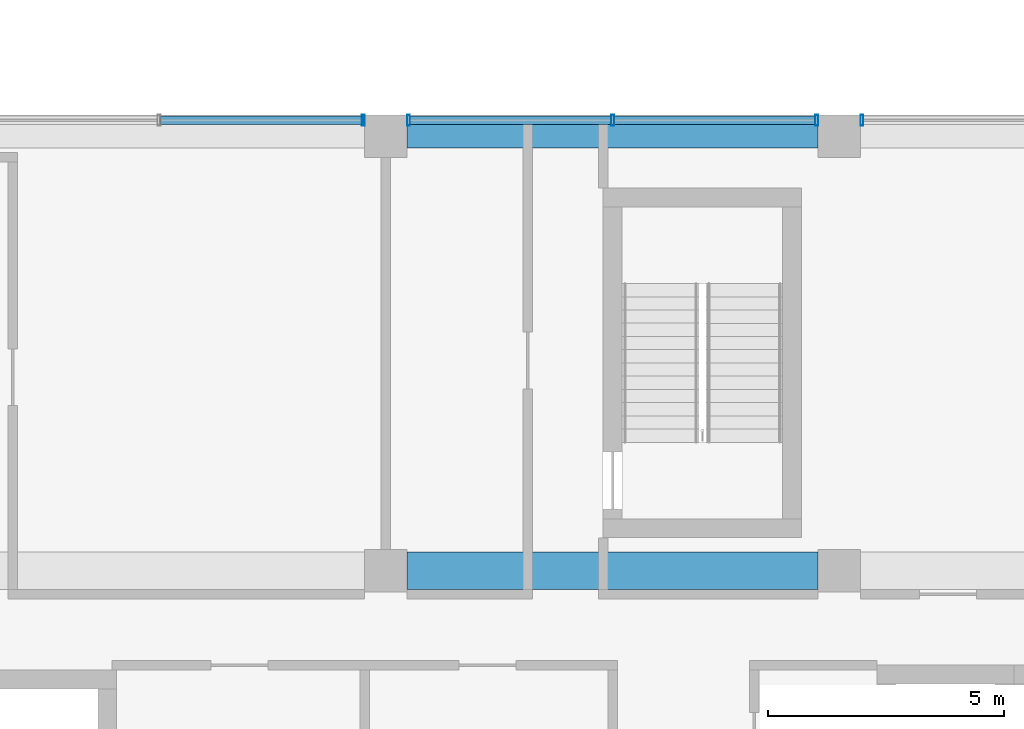
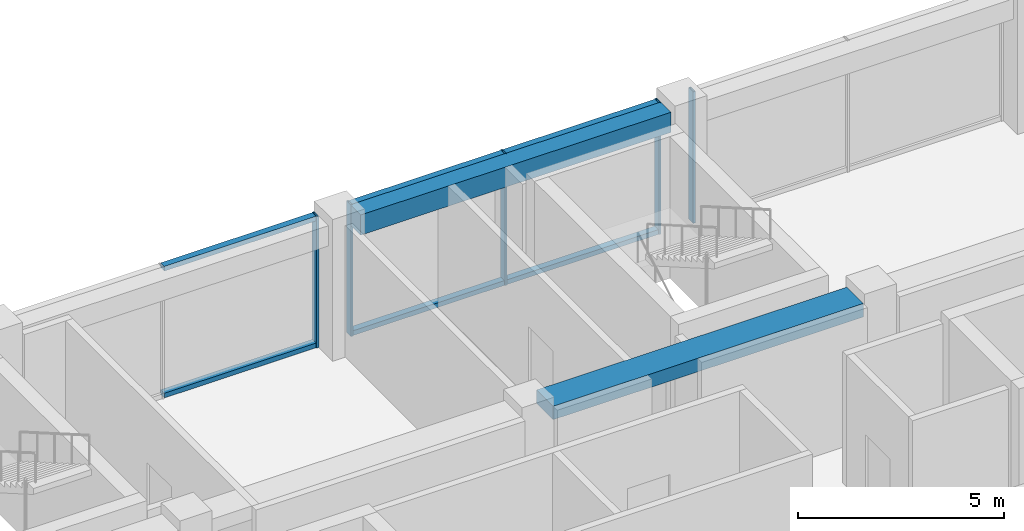
# One storey, part 22 of 36: 11 members, 2 beams, 3 elements without a shape of their own.
"""IFC4 building model written with IfcOpenShell, lengths in metres."""

from ifc_helpers import new_model, si_unit, direction, frame, origin, origin_2d, place, context, subcontext, project, spatial, rectangle, hollow_rectangle, extrude, material, layer, layer_set, material_profile, profile_set, type_object, element, aggregate, save


model = new_model("IFC4")

# Units and contexts
model_context = context("Model", 3, precision=1e-05, world=origin(), true_north=direction((0.0, 1.0)))
body_context = subcontext(model_context, "Body", "Model", "MODEL_VIEW")
ifc_project = project(units=[si_unit("LENGTHUNIT", "METRE"), si_unit("AREAUNIT", "SQUARE_METRE"), si_unit("VOLUMEUNIT", "CUBIC_METRE"), si_unit("PLANEANGLEUNIT", "RADIAN"), si_unit("MASSUNIT", "GRAM", prefix="KILO")], contexts=[model_context])

# Site, building, storey
site_placement = place(None, origin())
site = spatial("IfcSite", under=ifc_project, at=site_placement, CompositionType="ELEMENT")
building_placement = place(site_placement, origin())
building = spatial("IfcBuilding", under=site, at=building_placement, Name="Nzadi Deep Aquarium and Research Tower", CompositionType="ELEMENT")
storey_placement = place(building_placement, frame((0.0, 0.0, 36.10009765625)))
storey = spatial("IfcBuildingStorey", under=building, at=storey_placement, Name="L06", CompositionType="ELEMENT", Elevation=36.10009765625)

# Curtain wall, member
ifc_material_1 = material(Name="Aluminium unitised frame deep", Category="aluminium")
ifc_layer = layer(ifc_material_1, 0.22509765625)
ifc_layer_set = layer_set([ifc_layer], Name="Aluminium unitised frame deep")
curtain_wall_type = type_object("IfcCurtainWallType", Name="Curtain wall Unitised Deep 225", PredefinedType="NOTDEFINED", material=ifc_layer_set)
curtain_wall_1_placement = place(storey_placement, origin())
curtain_wall_1 = element("IfcCurtainWall", 1, at=curtain_wall_1_placement, inside=storey, type_object=curtain_wall_type, Name="Unitised curtain wall blade B north L06", PredefinedType="NOTDEFINED")
ifc_material_2 = material(Name="Aluminium unitised frame deep", Category="aluminium")
ifc_material_profile_1 = material_profile(ifc_material_2, hollow_rectangle(XDim=0.22509765625, YDim=0.06005859375, WallThickness=0.0048828125, at=origin_2d()))
ifc_profile_set_1 = profile_set([ifc_material_profile_1], Name="Aluminium unitised frame deep")
member_type_1 = type_object("IfcMemberType", Name="Mullion 60x225 Unitised Deep", PredefinedType="MULLION", material=ifc_profile_set_1)
member_1_placement = place(storey_placement, frame((18.719970703125, 46.33740234375, 0.0), z_axis=(0.0, 0.0, 1.0), x_axis=(0.0, 1.0, 0.0)))
member_1 = element("IfcMember", 2, at=member_1_placement, type_object=member_type_1, Name="CW094 mullion 3", PredefinedType="MULLION", context=body_context, shape_type="SweptSolid", body=[
    extrude(hollow_rectangle(XDim=0.22509765625, YDim=0.06005859375, WallThickness=0.0048828125, at=origin_2d()), origin(), (0.0, 0.0, 1.0), 3.89990234375),
])

# Curtain wall, members
curtain_wall_2_placement = place(storey_placement, origin())
curtain_wall_2 = element("IfcCurtainWall", 3, at=curtain_wall_2_placement, inside=storey, type_object=curtain_wall_type, Name="Unitised curtain wall blade B north L06", PredefinedType="NOTDEFINED")
member_2_placement = place(storey_placement, frame((19.679931640625, 46.33740234375, 0.0), z_axis=(0.0, 0.0, 1.0), x_axis=(0.0, 1.0, 0.0)))
member_2 = element("IfcMember", 4, at=member_2_placement, type_object=member_type_1, Name="CW095 mullion 1", PredefinedType="MULLION", context=body_context, shape_type="SweptSolid", body=[
    extrude(hollow_rectangle(XDim=0.22509765625, YDim=0.06005859375, WallThickness=0.0048828125, at=origin_2d()), origin(), (0.0, 0.0, 1.0), 3.89990234375),
])
member_3_placement = place(storey_placement, frame((24.0, 46.33740234375, 0.0), z_axis=(0.0, 0.0, 1.0), x_axis=(0.0, 1.0, 0.0)))
member_3 = element("IfcMember", 5, at=member_3_placement, type_object=member_type_1, Name="CW095 mullion 2", PredefinedType="MULLION", context=body_context, shape_type="SweptSolid", body=[
    extrude(hollow_rectangle(XDim=0.22509765625, YDim=0.06005859375, WallThickness=0.0048828125, at=origin_2d()), origin(), (0.0, 0.0, 1.0), 3.89990234375),
])
member_4_placement = place(storey_placement, frame((28.320068359375, 46.33740234375, 0.0), z_axis=(0.0, 0.0, 1.0), x_axis=(0.0, 1.0, 0.0)))
member_4 = element("IfcMember", 6, at=member_4_placement, type_object=member_type_1, Name="CW095 mullion 3", PredefinedType="MULLION", context=body_context, shape_type="SweptSolid", body=[
    extrude(hollow_rectangle(XDim=0.22509765625, YDim=0.06005859375, WallThickness=0.0048828125, at=origin_2d()), origin(), (0.0, 0.0, 1.0), 3.89990234375),
])

# Curtain wall, member
curtain_wall_3_placement = place(storey_placement, origin())
curtain_wall_3 = element("IfcCurtainWall", 7, at=curtain_wall_3_placement, inside=storey, type_object=curtain_wall_type, Name="Unitised curtain wall blade B north L06", PredefinedType="NOTDEFINED")
member_5_placement = place(storey_placement, frame((29.280029296875, 46.33740234375, 0.0), z_axis=(0.0, 0.0, 1.0), x_axis=(0.0, 1.0, 0.0)))
member_5 = element("IfcMember", 8, at=member_5_placement, type_object=member_type_1, Name="CW096 mullion 1", PredefinedType="MULLION", context=body_context, shape_type="SweptSolid", body=[
    extrude(hollow_rectangle(XDim=0.22509765625, YDim=0.06005859375, WallThickness=0.0048828125, at=origin_2d()), origin(), (0.0, 0.0, 1.0), 3.89990234375),
])
aggregate(curtain_wall_3, [member_5])

# Beams
ifc_material_3 = material(Name="Concrete C35/45", Category="concrete")
ifc_material_profile_2 = material_profile(ifc_material_3, rectangle(XDim=0.5, YDim=0.60009765625, at=origin_2d()))
ifc_profile_set_2 = profile_set([ifc_material_profile_2], Name="Concrete C35/45")
beam_type_1 = type_object("IfcBeamType", Name="RC 500x600", PredefinedType="BEAM", material=ifc_profile_set_2)
beam_1_placement = place(storey_placement, frame((19.64990234375, 46.0, 3.599853515625), z_axis=(1.0, 0.0, 0.0), x_axis=(0.0, 1.0, 0.0)))
element("IfcBeam", 9, at=beam_1_placement, inside=storey, type_object=beam_type_1, Name="B-Z1-L06-L6-3", PredefinedType="BEAM", context=body_context, shape_type="SweptSolid", body=[
    extrude(rectangle(XDim=0.5, YDim=0.60009765625, at=origin_2d()), origin(), (0.0, 0.0, 1.0), 8.7001953125),
])
ifc_material_4 = material(Name="Concrete C35/45", Category="concrete")
ifc_material_profile_3 = material_profile(ifc_material_4, rectangle(XDim=0.800048828125, YDim=0.39990234375, at=origin_2d()))
ifc_profile_set_3 = profile_set([ifc_material_profile_3], Name="Concrete C35/45")
beam_type_2 = type_object("IfcBeamType", Name="RC 800x400", PredefinedType="BEAM", material=ifc_profile_set_3)
beam_2_placement = place(storey_placement, frame((19.64990234375, 36.800048828125, 3.699951171875), z_axis=(1.0, 0.0, 0.0), x_axis=(0.0, 1.0, 0.0)))
element("IfcBeam", 10, at=beam_2_placement, inside=storey, type_object=beam_type_2, Name="B-Z1-L06-L5-3", PredefinedType="BEAM", context=body_context, shape_type="SweptSolid", body=[
    extrude(rectangle(XDim=0.800048828125, YDim=0.39990234375, at=origin_2d()), origin(), (0.0, 0.0, 1.0), 8.7001953125),
])

# Member
ifc_material_5 = material(Name="Aluminium unitised frame deep", Category="aluminium")
ifc_material_profile_4 = material_profile(ifc_material_5, hollow_rectangle(XDim=0.179931640625, YDim=0.139892578125, WallThickness=0.0048828125, at=origin_2d()))
ifc_profile_set_4 = profile_set([ifc_material_profile_4], Name="Aluminium unitised frame deep")
member_type_2 = type_object("IfcMemberType", Name="Transom 140x180 Unitised Deep", PredefinedType="MULLION", material=ifc_profile_set_4)
member_6_placement = place(storey_placement, frame((14.429931640625, 46.33740234375, 0.06982421875), z_axis=(1.0, 0.0, 0.0), x_axis=(0.0, 1.0, 0.0)))
member_6 = element("IfcMember", 11, at=member_6_placement, type_object=member_type_2, Name="CW094 transom 2.1", PredefinedType="MULLION", context=body_context, shape_type="SweptSolid", body=[
    extrude(hollow_rectangle(XDim=0.179931640625, YDim=0.139892578125, WallThickness=0.0048828125, at=origin_2d()), origin(), (0.0, 0.0, 1.0), 4.260009765625),
])

member_7_placement = place(storey_placement, frame((14.429931640625, 46.33740234375, 3.829833984375), z_axis=(1.0, 0.0, 0.0), x_axis=(0.0, 1.0, 0.0)))
member_7 = element("IfcMember", 12, at=member_7_placement, type_object=member_type_2, Name="CW094 transom 2.2", PredefinedType="MULLION", context=body_context, shape_type="SweptSolid", body=[
    extrude(hollow_rectangle(XDim=0.179931640625, YDim=0.139892578125, WallThickness=0.0048828125, at=origin_2d()), origin(), (0.0, 0.0, 1.0), 4.260009765625),
])

aggregate(curtain_wall_1, [member_1, member_6, member_7])

member_8_placement = place(storey_placement, frame((19.7099609375, 46.33740234375, 0.06982421875), z_axis=(1.0, 0.0, 0.0), x_axis=(0.0, 1.0, 0.0)))
member_8 = element("IfcMember", 13, at=member_8_placement, type_object=member_type_2, Name="CW095 transom 1.1", PredefinedType="MULLION", context=body_context, shape_type="SweptSolid", body=[
    extrude(hollow_rectangle(XDim=0.179931640625, YDim=0.139892578125, WallThickness=0.0048828125, at=origin_2d()), origin(), (0.0, 0.0, 1.0), 4.260009765625),
])

member_9_placement = place(storey_placement, frame((19.7099609375, 46.33740234375, 3.829833984375), z_axis=(1.0, 0.0, 0.0), x_axis=(0.0, 1.0, 0.0)))
member_9 = element("IfcMember", 14, at=member_9_placement, type_object=member_type_2, Name="CW095 transom 1.2", PredefinedType="MULLION", context=body_context, shape_type="SweptSolid", body=[
    extrude(hollow_rectangle(XDim=0.179931640625, YDim=0.139892578125, WallThickness=0.0048828125, at=origin_2d()), origin(), (0.0, 0.0, 1.0), 4.260009765625),
])

member_10_placement = place(storey_placement, frame((24.030029296875, 46.33740234375, 0.06982421875), z_axis=(1.0, 0.0, 0.0), x_axis=(0.0, 1.0, 0.0)))
member_10 = element("IfcMember", 15, at=member_10_placement, type_object=member_type_2, Name="CW095 transom 2.1", PredefinedType="MULLION", context=body_context, shape_type="SweptSolid", body=[
    extrude(hollow_rectangle(XDim=0.179931640625, YDim=0.139892578125, WallThickness=0.0048828125, at=origin_2d()), origin(), (0.0, 0.0, 1.0), 4.260009765625),
])

member_11_placement = place(storey_placement, frame((24.030029296875, 46.33740234375, 3.829833984375), z_axis=(1.0, 0.0, 0.0), x_axis=(0.0, 1.0, 0.0)))
member_11 = element("IfcMember", 16, at=member_11_placement, type_object=member_type_2, Name="CW095 transom 2.2", PredefinedType="MULLION", context=body_context, shape_type="SweptSolid", body=[
    extrude(hollow_rectangle(XDim=0.179931640625, YDim=0.139892578125, WallThickness=0.0048828125, at=origin_2d()), origin(), (0.0, 0.0, 1.0), 4.260009765625),
])

aggregate(curtain_wall_2, [member_2, member_3, member_4, member_8, member_9, member_10, member_11])

save(model, "model.ifc")
